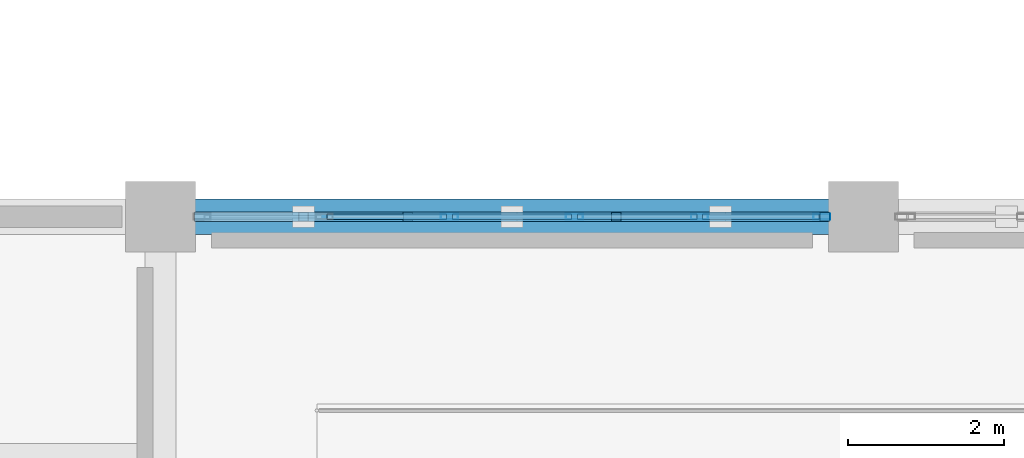
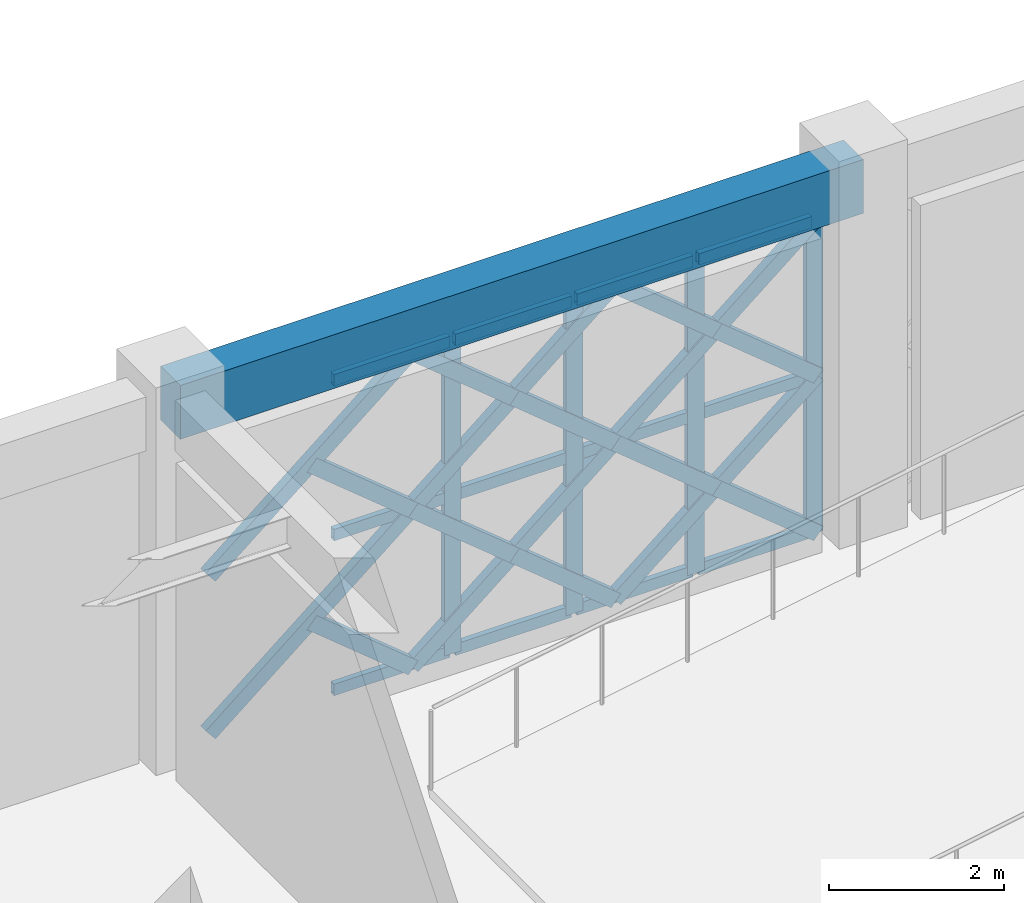
# One storey, part 52 of 166: 32 members, 1 beam, 1 element without a shape of its own.
"""IFC4 building model written with IfcOpenShell, lengths in metres."""

from ifc_helpers import new_model, si_unit, direction, frame, origin, origin_2d, place, context, subcontext, project, spatial, rectangle, hollow_rectangle, extrude, material, material_profile, profile_set, type_object, element, aggregate, save


model = new_model("IFC4")

# Units and contexts
model_context = context("Model", 3, precision=1e-05, world=origin(), true_north=direction((0.0, 1.0)))
body_context = subcontext(model_context, "Body", "Model", "MODEL_VIEW")
ifc_project = project(units=[si_unit("LENGTHUNIT", "METRE"), si_unit("AREAUNIT", "SQUARE_METRE"), si_unit("VOLUMEUNIT", "CUBIC_METRE"), si_unit("PLANEANGLEUNIT", "RADIAN"), si_unit("MASSUNIT", "GRAM", prefix="KILO")], contexts=[model_context])

# Site, building, storey
site_placement = place(None, origin())
site = spatial("IfcSite", under=ifc_project, at=site_placement, CompositionType="ELEMENT")
building_placement = place(site_placement, origin())
building = spatial("IfcBuilding", under=site, at=building_placement, Name="Haizhuo Lancet Aquarium", CompositionType="ELEMENT")
storey_placement = place(building_placement, frame((0.0, 0.0, 5.39990234375)))
storey = spatial("IfcBuildingStorey", under=building, at=storey_placement, Name="L01", CompositionType="ELEMENT", Elevation=5.39990234375)

# Beam
ifc_material_1 = material(Name="Concrete C40/50", Category="concrete")
ifc_material_profile_1 = material_profile(ifc_material_1, rectangle(XDim=0.449951171875, YDim=0.75, at=origin_2d()), Name="RC-BM 450x750")
ifc_profile_set_1 = profile_set([ifc_material_profile_1], Name="Concrete C40/50")
beam_type = type_object("IfcBeamType", Name="BM-RC-450x750", PredefinedType="BEAM", material=ifc_profile_set_1)
beam_placement = place(storey_placement, frame((36.0, -9.0, 4.76513671875), z_axis=(1.0, 0.0, 0.0), x_axis=(0.0, 1.0, 0.0)))
element("IfcBeam", 1, at=beam_placement, inside=storey, type_object=beam_type, Name="L01 V3 primary girder BM-L01-V3-012", PredefinedType="BEAM", context=body_context, shape_type="SweptSolid", body=[
    extrude(rectangle(XDim=0.449951171875, YDim=0.75, at=origin_2d()), origin(), (0.0, 0.0, 1.0), 9.0),
])

# Curtain wall, members
ifc_material_2 = material(Name="Aluminium 6063-T6", Category="aluminium")
curtain_wall_type = type_object("IfcCurtainWallType", Name="CWO-8010x4390", PredefinedType="NOTDEFINED", material=ifc_material_2)
curtain_wall_placement = place(storey_placement, origin())
curtain_wall = element("IfcCurtainWall", 2, at=curtain_wall_placement, inside=storey, type_object=curtain_wall_type, Name="L01 curtain wall CW-V3-L01-038", PredefinedType="NOTDEFINED")
ifc_material_profile_2 = material_profile(ifc_material_2, hollow_rectangle(XDim=0.074951171875, YDim=0.219970703125, WallThickness=0.0048828125, at=origin_2d()), Name="ALU-M 75x220x5")
ifc_profile_set_2 = profile_set([ifc_material_profile_2], Name="Aluminium 6063-T6")
member_type_1 = type_object("IfcMemberType", Name="CW-MUL-2", PredefinedType="MULLION", material=ifc_profile_set_2)
member_1_placement = place(storey_placement, frame((39.698974609375, -9.0, 0.0), z_axis=(0.0, 0.0, 1.0), x_axis=(0.0, 1.0, 0.0)))
member_1 = element("IfcMember", 3, at=member_1_placement, type_object=member_type_1, Name="CWO-80x43 mullion 3", PredefinedType="MULLION", context=body_context, shape_type="SweptSolid", body=[
    extrude(hollow_rectangle(XDim=0.074951171875, YDim=0.219970703125, WallThickness=0.0048828125, at=origin_2d()), origin(), (0.0, 0.0, 1.0), 4.39013671875),
])
member_2_placement = place(storey_placement, frame((41.301025390625, -9.0, 0.0), z_axis=(0.0, 0.0, 1.0), x_axis=(0.0, 1.0, 0.0)))
member_2 = element("IfcMember", 4, at=member_2_placement, type_object=member_type_1, Name="CWO-80x43 mullion 4", PredefinedType="MULLION", context=body_context, shape_type="SweptSolid", body=[
    extrude(hollow_rectangle(XDim=0.074951171875, YDim=0.219970703125, WallThickness=0.0048828125, at=origin_2d()), origin(), (0.0, 0.0, 1.0), 4.39013671875),
])
member_3_placement = place(storey_placement, frame((42.903076171875, -9.0, 0.0), z_axis=(0.0, 0.0, 1.0), x_axis=(0.0, 1.0, 0.0)))
member_3 = element("IfcMember", 5, at=member_3_placement, type_object=member_type_1, Name="CWO-80x43 mullion 5", PredefinedType="MULLION", context=body_context, shape_type="SweptSolid", body=[
    extrude(hollow_rectangle(XDim=0.074951171875, YDim=0.219970703125, WallThickness=0.0048828125, at=origin_2d()), origin(), (0.0, 0.0, 1.0), 4.39013671875),
])
member_4_placement = place(storey_placement, frame((44.468017578125, -9.0, 0.0), z_axis=(0.0, 0.0, 1.0), x_axis=(0.0, 1.0, 0.0)))
member_4 = element("IfcMember", 6, at=member_4_placement, type_object=member_type_1, Name="CWO-80x43 mullion 6", PredefinedType="MULLION", context=body_context, shape_type="SweptSolid", body=[
    extrude(hollow_rectangle(XDim=0.074951171875, YDim=0.219970703125, WallThickness=0.0048828125, at=origin_2d()), origin(), (0.0, 0.0, 1.0), 4.39013671875),
])
ifc_material_profile_3 = material_profile(ifc_material_2, hollow_rectangle(XDim=0.074951171875, YDim=0.159912109375, WallThickness=0.00390625, at=origin_2d()), Name="ALU-T 75x160x4")
ifc_profile_set_3 = profile_set([ifc_material_profile_3], Name="Aluminium 6063-T6")
member_type_2 = type_object("IfcMemberType", Name="CW-TRN-2", PredefinedType="NOTDEFINED", material=ifc_profile_set_3)
member_5_placement = place(storey_placement, frame((38.134033203125, -9.0, 0.0380859375), z_axis=(1.0, 0.0, 0.0), x_axis=(0.0, 1.0, 0.0)))
member_5 = element("IfcMember", 7, at=member_5_placement, type_object=member_type_2, Name="CWO-80x43 transom 2.1", ObjectType="TRANSOM", PredefinedType="USERDEFINED", context=body_context, shape_type="SweptSolid", body=[
    extrude(hollow_rectangle(XDim=0.074951171875, YDim=0.159912109375, WallThickness=0.00390625, at=origin_2d()), origin(), (0.0, 0.0, 1.0), 1.52685546875),
])
member_6_placement = place(storey_placement, frame((38.134033203125, -9.0, 2.195068359375), z_axis=(1.0, 0.0, 0.0), x_axis=(0.0, 1.0, 0.0)))
member_6 = element("IfcMember", 8, at=member_6_placement, type_object=member_type_2, Name="CWO-80x43 transom 2.2", ObjectType="TRANSOM", PredefinedType="USERDEFINED", context=body_context, shape_type="SweptSolid", body=[
    extrude(hollow_rectangle(XDim=0.074951171875, YDim=0.159912109375, WallThickness=0.00390625, at=origin_2d()), origin(), (0.0, 0.0, 1.0), 1.52685546875),
])
member_7_placement = place(storey_placement, frame((38.134033203125, -9.0, 4.35205078125), z_axis=(1.0, 0.0, 0.0), x_axis=(0.0, 1.0, 0.0)))
member_7 = element("IfcMember", 9, at=member_7_placement, type_object=member_type_2, Name="CWO-80x43 transom 2.3", ObjectType="TRANSOM", PredefinedType="USERDEFINED", context=body_context, shape_type="SweptSolid", body=[
    extrude(hollow_rectangle(XDim=0.074951171875, YDim=0.159912109375, WallThickness=0.00390625, at=origin_2d()), origin(), (0.0, 0.0, 1.0), 1.52685546875),
])
member_8_placement = place(storey_placement, frame((39.736083984375, -9.0, 0.0380859375), z_axis=(1.0, 0.0, 0.0), x_axis=(0.0, 1.0, 0.0)))
member_8 = element("IfcMember", 10, at=member_8_placement, type_object=member_type_2, Name="CWO-80x43 transom 3.1", ObjectType="TRANSOM", PredefinedType="USERDEFINED", context=body_context, shape_type="SweptSolid", body=[
    extrude(hollow_rectangle(XDim=0.074951171875, YDim=0.159912109375, WallThickness=0.00390625, at=origin_2d()), origin(), (0.0, 0.0, 1.0), 1.52783203125),
])
member_9_placement = place(storey_placement, frame((39.736083984375, -9.0, 2.195068359375), z_axis=(1.0, 0.0, 0.0), x_axis=(0.0, 1.0, 0.0)))
member_9 = element("IfcMember", 11, at=member_9_placement, type_object=member_type_2, Name="CWO-80x43 transom 3.2", ObjectType="TRANSOM", PredefinedType="USERDEFINED", context=body_context, shape_type="SweptSolid", body=[
    extrude(hollow_rectangle(XDim=0.074951171875, YDim=0.159912109375, WallThickness=0.00390625, at=origin_2d()), origin(), (0.0, 0.0, 1.0), 1.52783203125),
])
member_10_placement = place(storey_placement, frame((39.736083984375, -9.0, 4.35205078125), z_axis=(1.0, 0.0, 0.0), x_axis=(0.0, 1.0, 0.0)))
member_10 = element("IfcMember", 12, at=member_10_placement, type_object=member_type_2, Name="CWO-80x43 transom 3.3", ObjectType="TRANSOM", PredefinedType="USERDEFINED", context=body_context, shape_type="SweptSolid", body=[
    extrude(hollow_rectangle(XDim=0.074951171875, YDim=0.159912109375, WallThickness=0.00390625, at=origin_2d()), origin(), (0.0, 0.0, 1.0), 1.52783203125),
])
member_11_placement = place(storey_placement, frame((41.337890625, -9.0, 0.0380859375), z_axis=(1.0, 0.0, 0.0), x_axis=(0.0, 1.0, 0.0)))
member_11 = element("IfcMember", 13, at=member_11_placement, type_object=member_type_2, Name="CWO-80x43 transom 4.1", ObjectType="TRANSOM", PredefinedType="USERDEFINED", context=body_context, shape_type="SweptSolid", body=[
    extrude(hollow_rectangle(XDim=0.074951171875, YDim=0.159912109375, WallThickness=0.00390625, at=origin_2d()), origin(), (0.0, 0.0, 1.0), 1.528076171875),
])
member_12_placement = place(storey_placement, frame((41.337890625, -9.0, 2.195068359375), z_axis=(1.0, 0.0, 0.0), x_axis=(0.0, 1.0, 0.0)))
member_12 = element("IfcMember", 14, at=member_12_placement, type_object=member_type_2, Name="CWO-80x43 transom 4.2", ObjectType="TRANSOM", PredefinedType="USERDEFINED", context=body_context, shape_type="SweptSolid", body=[
    extrude(hollow_rectangle(XDim=0.074951171875, YDim=0.159912109375, WallThickness=0.00390625, at=origin_2d()), origin(), (0.0, 0.0, 1.0), 1.528076171875),
])
member_13_placement = place(storey_placement, frame((41.337890625, -9.0, 4.35205078125), z_axis=(1.0, 0.0, 0.0), x_axis=(0.0, 1.0, 0.0)))
member_13 = element("IfcMember", 15, at=member_13_placement, type_object=member_type_2, Name="CWO-80x43 transom 4.3", ObjectType="TRANSOM", PredefinedType="USERDEFINED", context=body_context, shape_type="SweptSolid", body=[
    extrude(hollow_rectangle(XDim=0.074951171875, YDim=0.159912109375, WallThickness=0.00390625, at=origin_2d()), origin(), (0.0, 0.0, 1.0), 1.528076171875),
])
member_14_placement = place(storey_placement, frame((42.94091796875, -9.0, 0.0380859375), z_axis=(1.0, 0.0, 0.0), x_axis=(0.0, 1.0, 0.0)))
member_14 = element("IfcMember", 16, at=member_14_placement, type_object=member_type_2, Name="CWO-80x43 transom 5.1", ObjectType="TRANSOM", PredefinedType="USERDEFINED", context=body_context, shape_type="SweptSolid", body=[
    extrude(hollow_rectangle(XDim=0.074951171875, YDim=0.159912109375, WallThickness=0.00390625, at=origin_2d()), origin(), (0.0, 0.0, 1.0), 1.489013671875),
])
member_15_placement = place(storey_placement, frame((42.94091796875, -9.0, 2.195068359375), z_axis=(1.0, 0.0, 0.0), x_axis=(0.0, 1.0, 0.0)))
member_15 = element("IfcMember", 17, at=member_15_placement, type_object=member_type_2, Name="CWO-80x43 transom 5.2", ObjectType="TRANSOM", PredefinedType="USERDEFINED", context=body_context, shape_type="SweptSolid", body=[
    extrude(hollow_rectangle(XDim=0.074951171875, YDim=0.159912109375, WallThickness=0.00390625, at=origin_2d()), origin(), (0.0, 0.0, 1.0), 1.489013671875),
])
member_16_placement = place(storey_placement, frame((42.94091796875, -9.0, 4.35205078125), z_axis=(1.0, 0.0, 0.0), x_axis=(0.0, 1.0, 0.0)))
member_16 = element("IfcMember", 18, at=member_16_placement, type_object=member_type_2, Name="CWO-80x43 transom 5.3", ObjectType="TRANSOM", PredefinedType="USERDEFINED", context=body_context, shape_type="SweptSolid", body=[
    extrude(hollow_rectangle(XDim=0.074951171875, YDim=0.159912109375, WallThickness=0.00390625, at=origin_2d()), origin(), (0.0, 0.0, 1.0), 1.489013671875),
])
aggregate(curtain_wall, [member_1, member_2, member_3, member_4, member_5, member_6, member_7, member_8, member_9, member_10, member_11, member_12, member_13, member_14, member_15, member_16])

# Members
ifc_material_3 = material(Name="Steel S355", Category="steel")
ifc_material_profile_4 = material_profile(ifc_material_3, hollow_rectangle(XDim=0.1201171875, YDim=0.199951171875, WallThickness=0.008056640625, at=origin_2d()), Name="RHS 120x200x8")
ifc_profile_set_4 = profile_set([ifc_material_profile_4], Name="Steel S355")
member_type_3 = type_object("IfcMemberType", Name="MEM-LB-RHS120x200", PredefinedType="BRACE", material=ifc_profile_set_4)
member_17_placement = place(storey_placement, frame((36.4951171875, -9.0, 0.0), z_axis=(0.772453976084, 0.0, 0.635070747895), x_axis=(0.0, 1.0, 0.0)))
element("IfcMember", 19, at=member_17_placement, inside=storey, type_object=member_type_3, Name="Gothic lancet continuous diagonal brace CW-V3-L01-038 1A", PredefinedType="BRACE", context=body_context, shape_type="SweptSolid", body=[
    extrude(hollow_rectangle(XDim=0.1201171875, YDim=0.199951171875, WallThickness=0.008056640625, at=origin_2d()), origin(), (0.0, 0.0, 1.0), 3.456298828125),
])
member_18_placement = place(storey_placement, frame((39.1650390625, -9.0, 0.0), z_axis=(-0.772280733977, 0.0, 0.635281408454), x_axis=(0.0, -1.0, 0.0)))
element("IfcMember", 20, at=member_18_placement, inside=storey, type_object=member_type_3, Name="Gothic lancet split diagonal brace CW-V3-L01-038 1B1", PredefinedType="BRACE", context=body_context, shape_type="SweptSolid", body=[
    extrude(hollow_rectangle(XDim=0.1201171875, YDim=0.199951171875, WallThickness=0.008056640625, at=origin_2d()), origin(), (0.0, 0.0, 1.0), 1.728515625),
])
member_19_placement = place(storey_placement, frame((36.4951171875, -9.0, 2.195068359375), z_axis=(0.772453976084, 0.0, 0.635070747895), x_axis=(0.0, 1.0, 0.0)))
element("IfcMember", 21, at=member_19_placement, inside=storey, type_object=member_type_3, Name="Gothic lancet continuous diagonal brace CW-V3-L01-038 2A", PredefinedType="BRACE", context=body_context, shape_type="SweptSolid", body=[
    extrude(hollow_rectangle(XDim=0.1201171875, YDim=0.199951171875, WallThickness=0.008056640625, at=origin_2d()), origin(), (0.0, 0.0, 1.0), 3.456298828125),
])
member_20_placement = place(storey_placement, frame((39.1650390625, -9.0, 2.195068359375), z_axis=(-0.772627238419, 0.0, 0.634859945541), x_axis=(0.0, -1.0, 0.0)))
element("IfcMember", 22, at=member_20_placement, inside=storey, type_object=member_type_3, Name="Gothic lancet split diagonal brace CW-V3-L01-038 2B1", PredefinedType="BRACE", context=body_context, shape_type="SweptSolid", body=[
    extrude(hollow_rectangle(XDim=0.1201171875, YDim=0.199951171875, WallThickness=0.008056640625, at=origin_2d()), origin(), (0.0, 0.0, 1.0), 1.727783203125),
])
member_21_placement = place(storey_placement, frame((39.1650390625, -9.0, 0.0), z_axis=(0.772453976084, 0.0, 0.635070747895), x_axis=(0.0, 1.0, 0.0)))
element("IfcMember", 23, at=member_21_placement, inside=storey, type_object=member_type_3, Name="Gothic lancet continuous diagonal brace CW-V3-L01-038 3A", PredefinedType="BRACE", context=body_context, shape_type="SweptSolid", body=[
    extrude(hollow_rectangle(XDim=0.1201171875, YDim=0.199951171875, WallThickness=0.008056640625, at=origin_2d()), origin(), (0.0, 0.0, 1.0), 3.456298828125),
])
member_22_placement = place(storey_placement, frame((41.8349609375, -9.0, 0.0), z_axis=(-0.772280733977, 0.0, 0.635281408454), x_axis=(0.0, -1.0, 0.0)))
element("IfcMember", 24, at=member_22_placement, inside=storey, type_object=member_type_3, Name="Gothic lancet split diagonal brace CW-V3-L01-038 3B1", PredefinedType="BRACE", context=body_context, shape_type="SweptSolid", body=[
    extrude(hollow_rectangle(XDim=0.1201171875, YDim=0.199951171875, WallThickness=0.008056640625, at=origin_2d()), origin(), (0.0, 0.0, 1.0), 1.728515625),
])
member_23_placement = place(storey_placement, frame((40.5, -9.0, 1.09814453125), z_axis=(-0.772627238419, 0.0, 0.634859945541), x_axis=(0.0, -1.0, 0.0)))
element("IfcMember", 25, at=member_23_placement, inside=storey, type_object=member_type_3, Name="Gothic lancet split diagonal brace CW-V3-L01-038 3B2", PredefinedType="BRACE", context=body_context, shape_type="SweptSolid", body=[
    extrude(hollow_rectangle(XDim=0.1201171875, YDim=0.199951171875, WallThickness=0.008056640625, at=origin_2d()), origin(), (0.0, 0.0, 1.0), 1.727783203125),
])
member_24_placement = place(storey_placement, frame((39.1650390625, -9.0, 2.195068359375), z_axis=(0.772453976084, 0.0, 0.635070747895), x_axis=(0.0, 1.0, 0.0)))
element("IfcMember", 26, at=member_24_placement, inside=storey, type_object=member_type_3, Name="Gothic lancet continuous diagonal brace CW-V3-L01-038 4A", PredefinedType="BRACE", context=body_context, shape_type="SweptSolid", body=[
    extrude(hollow_rectangle(XDim=0.1201171875, YDim=0.199951171875, WallThickness=0.008056640625, at=origin_2d()), origin(), (0.0, 0.0, 1.0), 3.456298828125),
])
member_25_placement = place(storey_placement, frame((41.8349609375, -9.0, 2.195068359375), z_axis=(-0.772627238419, 0.0, 0.634859945541), x_axis=(0.0, -1.0, 0.0)))
element("IfcMember", 27, at=member_25_placement, inside=storey, type_object=member_type_3, Name="Gothic lancet split diagonal brace CW-V3-L01-038 4B1", PredefinedType="BRACE", context=body_context, shape_type="SweptSolid", body=[
    extrude(hollow_rectangle(XDim=0.1201171875, YDim=0.199951171875, WallThickness=0.008056640625, at=origin_2d()), origin(), (0.0, 0.0, 1.0), 1.727783203125),
])
member_26_placement = place(storey_placement, frame((40.5, -9.0, 3.2919921875), z_axis=(-0.772280733977, 0.0, 0.635281408454), x_axis=(0.0, -1.0, 0.0)))
element("IfcMember", 28, at=member_26_placement, inside=storey, type_object=member_type_3, Name="Gothic lancet split diagonal brace CW-V3-L01-038 4B2", PredefinedType="BRACE", context=body_context, shape_type="SweptSolid", body=[
    extrude(hollow_rectangle(XDim=0.1201171875, YDim=0.199951171875, WallThickness=0.008056640625, at=origin_2d()), origin(), (0.0, 0.0, 1.0), 1.728515625),
])
member_27_placement = place(storey_placement, frame((41.8349609375, -9.0, 0.0), z_axis=(0.772453976084, 0.0, 0.635070747895), x_axis=(0.0, 1.0, 0.0)))
element("IfcMember", 29, at=member_27_placement, inside=storey, type_object=member_type_3, Name="Gothic lancet continuous diagonal brace CW-V3-L01-038 5A", PredefinedType="BRACE", context=body_context, shape_type="SweptSolid", body=[
    extrude(hollow_rectangle(XDim=0.1201171875, YDim=0.199951171875, WallThickness=0.008056640625, at=origin_2d()), origin(), (0.0, 0.0, 1.0), 3.456298828125),
])
member_28_placement = place(storey_placement, frame((44.5048828125, -9.0, 0.0), z_axis=(-0.772280733977, 0.0, 0.635281408454), x_axis=(0.0, -1.0, 0.0)))
element("IfcMember", 30, at=member_28_placement, inside=storey, type_object=member_type_3, Name="Gothic lancet split diagonal brace CW-V3-L01-038 5B1", PredefinedType="BRACE", context=body_context, shape_type="SweptSolid", body=[
    extrude(hollow_rectangle(XDim=0.1201171875, YDim=0.199951171875, WallThickness=0.008056640625, at=origin_2d()), origin(), (0.0, 0.0, 1.0), 1.728515625),
])
member_29_placement = place(storey_placement, frame((43.169921875, -9.0, 1.09814453125), z_axis=(-0.772627238419, 0.0, 0.634859945541), x_axis=(0.0, -1.0, 0.0)))
element("IfcMember", 31, at=member_29_placement, inside=storey, type_object=member_type_3, Name="Gothic lancet split diagonal brace CW-V3-L01-038 5B2", PredefinedType="BRACE", context=body_context, shape_type="SweptSolid", body=[
    extrude(hollow_rectangle(XDim=0.1201171875, YDim=0.199951171875, WallThickness=0.008056640625, at=origin_2d()), origin(), (0.0, 0.0, 1.0), 1.727783203125),
])
member_30_placement = place(storey_placement, frame((41.8349609375, -9.0, 2.195068359375), z_axis=(0.772453976084, 0.0, 0.635070747895), x_axis=(0.0, 1.0, 0.0)))
element("IfcMember", 32, at=member_30_placement, inside=storey, type_object=member_type_3, Name="Gothic lancet continuous diagonal brace CW-V3-L01-038 6A", PredefinedType="BRACE", context=body_context, shape_type="SweptSolid", body=[
    extrude(hollow_rectangle(XDim=0.1201171875, YDim=0.199951171875, WallThickness=0.008056640625, at=origin_2d()), origin(), (0.0, 0.0, 1.0), 3.456298828125),
])
member_31_placement = place(storey_placement, frame((44.5048828125, -9.0, 2.195068359375), z_axis=(-0.772627238419, 0.0, 0.634859945541), x_axis=(0.0, -1.0, 0.0)))
element("IfcMember", 33, at=member_31_placement, inside=storey, type_object=member_type_3, Name="Gothic lancet split diagonal brace CW-V3-L01-038 6B1", PredefinedType="BRACE", context=body_context, shape_type="SweptSolid", body=[
    extrude(hollow_rectangle(XDim=0.1201171875, YDim=0.199951171875, WallThickness=0.008056640625, at=origin_2d()), origin(), (0.0, 0.0, 1.0), 1.727783203125),
])
member_32_placement = place(storey_placement, frame((43.169921875, -9.0, 3.2919921875), z_axis=(-0.772280733977, 0.0, 0.635281408454), x_axis=(0.0, -1.0, 0.0)))
element("IfcMember", 34, at=member_32_placement, inside=storey, type_object=member_type_3, Name="Gothic lancet split diagonal brace CW-V3-L01-038 6B2", PredefinedType="BRACE", context=body_context, shape_type="SweptSolid", body=[
    extrude(hollow_rectangle(XDim=0.1201171875, YDim=0.199951171875, WallThickness=0.008056640625, at=origin_2d()), origin(), (0.0, 0.0, 1.0), 1.728515625),
])

save(model, "model.ifc")
